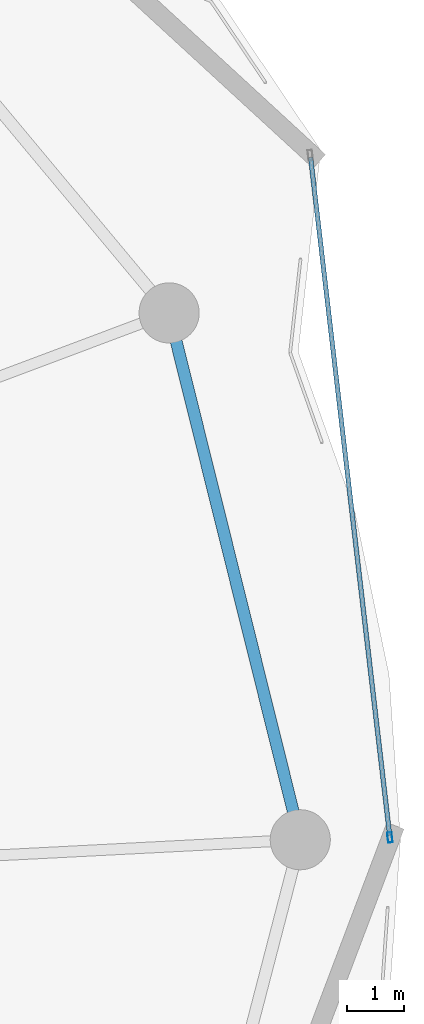
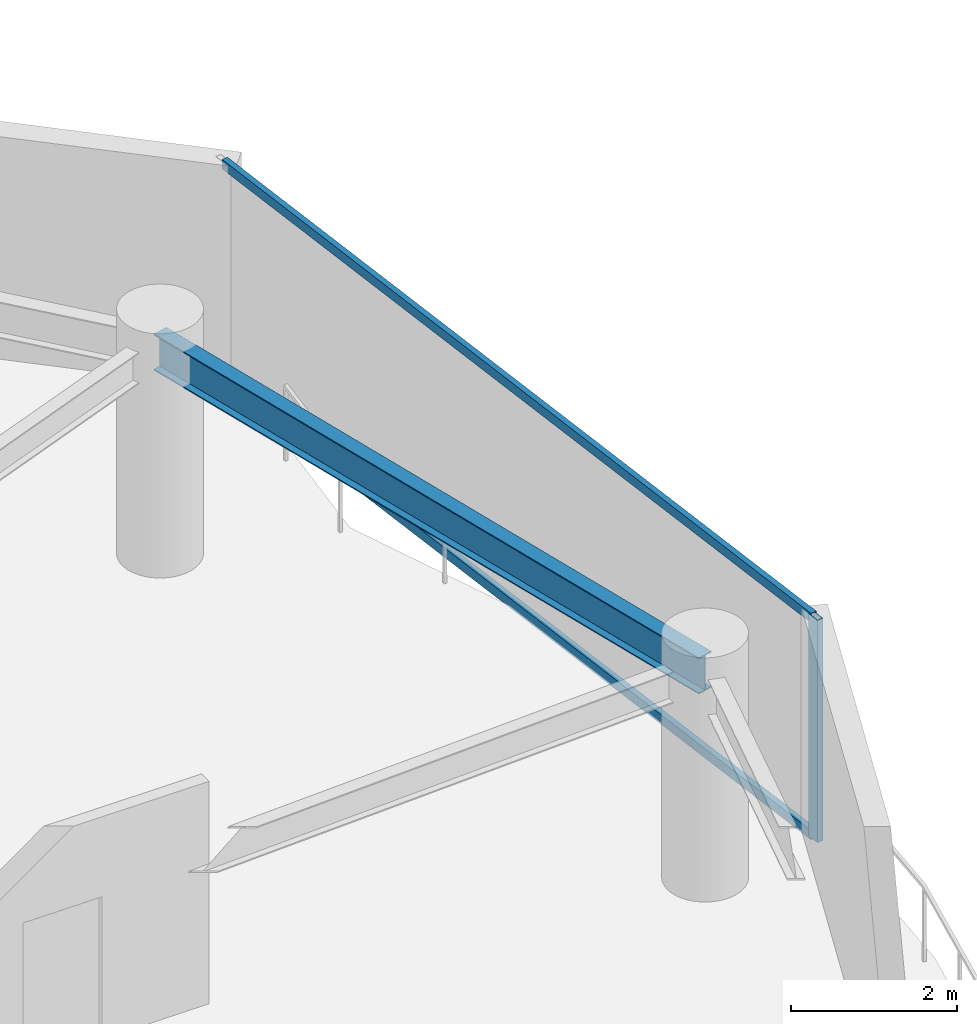
# One storey, part 16 of 31: 3 members, 1 beam, 1 element without a shape of its own.
"""IFC4 building model written with IfcOpenShell, lengths in metres."""

from ifc_helpers import new_model, si_unit, direction, frame, origin, origin_2d, place, context, subcontext, project, spatial, hollow_rectangle, i_section, extrude, material, layer, layer_set, material_profile, profile_set, type_object, element, aggregate, save


model = new_model("IFC4")

# Units and contexts
model_context = context("Model", 3, precision=1e-05, world=origin(), true_north=direction((0.0, 1.0)))
body_context = subcontext(model_context, "Body", "Model", "MODEL_VIEW")
ifc_project = project(units=[si_unit("LENGTHUNIT", "METRE"), si_unit("AREAUNIT", "SQUARE_METRE"), si_unit("VOLUMEUNIT", "CUBIC_METRE"), si_unit("PLANEANGLEUNIT", "RADIAN"), si_unit("MASSUNIT", "GRAM", prefix="KILO")], contexts=[model_context])

# Site, building, storey
site_placement = place(None, origin())
site = spatial("IfcSite", under=ifc_project, at=site_placement, CompositionType="ELEMENT")
building_placement = place(site_placement, origin())
building = spatial("IfcBuilding", under=site, at=building_placement, Name="Kazevale Care Tower and Concert Hall", CompositionType="ELEMENT")
storey_placement = place(building_placement, frame((0.0, 0.0, 187.199951171875)))
storey = spatial("IfcBuildingStorey", under=building, at=storey_placement, Name="L49", CompositionType="ELEMENT", Elevation=187.199951171875)

# Curtain wall, members
ifc_material_1 = material(Name="Aluminium 6063-T6 and Low-E Glass", Category="aluminium")
ifc_layer = layer(ifc_material_1, 0.179931640625)
ifc_layer_set = layer_set([ifc_layer], Name="Aluminium 6063-T6 and Low-E Glass")
curtain_wall_type = type_object("IfcCurtainWallType", Name="Waist & Upper Residential Curtain Wall CW-4", PredefinedType="NOTDEFINED", material=ifc_layer_set)
curtain_wall_placement = place(storey_placement, origin())
curtain_wall = element("IfcCurtainWall", 1, at=curtain_wall_placement, inside=storey, type_object=curtain_wall_type, Name="cw:L49:f18", PredefinedType="NOTDEFINED")
ifc_material_2 = material(Name="Aluminium 6063-T6", Category="aluminium")
ifc_material_profile_1 = material_profile(ifc_material_2, hollow_rectangle(XDim=0.080078125, YDim=0.179931640625, WallThickness=0.0048828125, at=origin_2d()), Name="ALU80x180x5")
ifc_profile_set_1 = profile_set([ifc_material_profile_1], Name="Aluminium 6063-T6")
member_type_1 = type_object("IfcMemberType", Name="CW-4 Mullion ALU80x180x5", PredefinedType="MULLION", material=ifc_profile_set_1)
member_1_placement = place(storey_placement, frame((76.615478515625, 38.039794921875, 0.0), z_axis=(0.0, 0.0, 1.0), x_axis=(0.993267109779, 0.115846659989, 0.0)))
member_1 = element("IfcMember", 2, at=member_1_placement, type_object=member_type_1, Name="CW-4 mullion 2", PredefinedType="MULLION", context=body_context, shape_type="SweptSolid", body=[
    extrude(hollow_rectangle(XDim=0.080078125, YDim=0.179931640625, WallThickness=0.0048828125, at=origin_2d()), origin(), (0.0, 0.0, 1.0), 3.280029296875),
])
ifc_material_profile_2 = material_profile(ifc_material_2, hollow_rectangle(XDim=0.080078125, YDim=0.139892578125, WallThickness=0.00390625, at=origin_2d()), Name="ALU80x140x4")
ifc_profile_set_2 = profile_set([ifc_material_profile_2], Name="Aluminium 6063-T6")
member_type_2 = type_object("IfcMemberType", Name="CW-4 Transom ALU80x140x4", PredefinedType="USERDEFINED", material=ifc_profile_set_2)
member_2_placement = place(storey_placement, frame((75.230224609375, 49.91552734375, 0.0400390625), z_axis=(0.115858128775, -0.993265772086, 0.0), x_axis=(0.993265772086, 0.115858128775, 0.0)))
member_2 = element("IfcMember", 3, at=member_2_placement, type_object=member_type_2, Name="CW-4 transom 1.1", ObjectType="TRANSOM", PredefinedType="USERDEFINED", context=body_context, shape_type="SweptSolid", body=[
    extrude(hollow_rectangle(XDim=0.080078125, YDim=0.139892578125, WallThickness=0.00390625, at=origin_2d()), origin(), (0.0, 0.0, 1.0), 11.91650390625),
])
member_3_placement = place(storey_placement, frame((75.230224609375, 49.91552734375, 3.239990234375), z_axis=(0.115858128775, -0.993265772086, 0.0), x_axis=(0.993265772086, 0.115858128775, 0.0)))
member_3 = element("IfcMember", 4, at=member_3_placement, type_object=member_type_2, Name="CW-4 transom 1.2", ObjectType="TRANSOM", PredefinedType="USERDEFINED", context=body_context, shape_type="SweptSolid", body=[
    extrude(hollow_rectangle(XDim=0.080078125, YDim=0.139892578125, WallThickness=0.00390625, at=origin_2d()), origin(), (0.0, 0.0, 1.0), 11.91650390625),
])
aggregate(curtain_wall, [member_1, member_2, member_3])

# Beam
ifc_material_3 = material(Name="Steel ASTM A572 Gr 50", Category="steel")
ifc_material_profile_3 = material_profile(ifc_material_3, i_section(OverallWidth=0.208984375, OverallDepth=0.532958984375, WebThickness=0.01025390625, FlangeThickness=0.015625, at=origin_2d()), Name="W530x92")
ifc_profile_set_3 = profile_set([ifc_material_profile_3], Name="Steel ASTM A572 Gr 50")
beam_type = type_object("IfcBeamType", Name="Upper Ring Beam W530x92", PredefinedType="BEAM", material=ifc_profile_set_3)
beam_placement = place(storey_placement, frame((75.050048828125, 38.0, 3.013427734375), z_axis=(-0.241547858543, 0.970388907621, 0.0), x_axis=(-0.970388907621, -0.241547858543, 0.0)))
element("IfcBeam", 5, at=beam_placement, inside=storey, type_object=beam_type, Name="beam:L49:ring:01", PredefinedType="BEAM", context=body_context, shape_type="SweptSolid", body=[
    extrude(i_section(OverallWidth=0.208984375, OverallDepth=0.532958984375, WebThickness=0.01025390625, FlangeThickness=0.015625, at=origin_2d()), origin(), (0.0, 0.0, 1.0), 9.480712890625),
])

save(model, "model.ifc")
